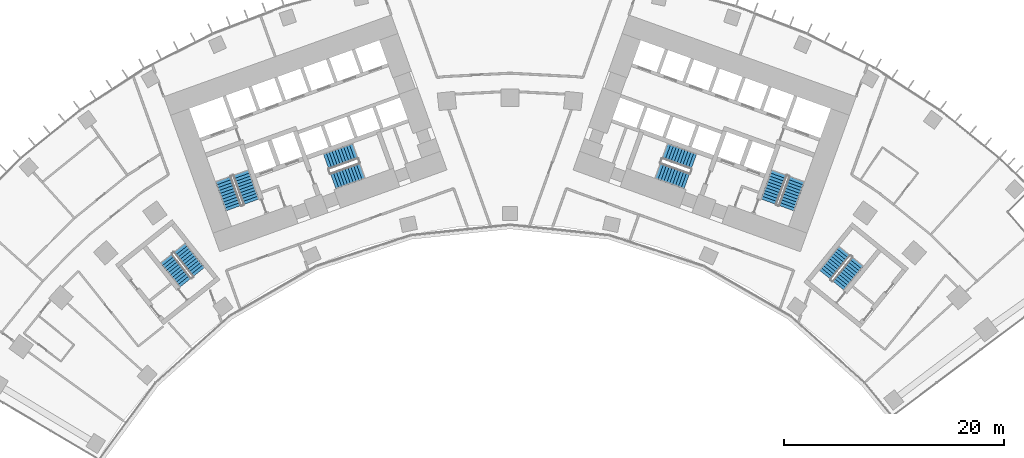
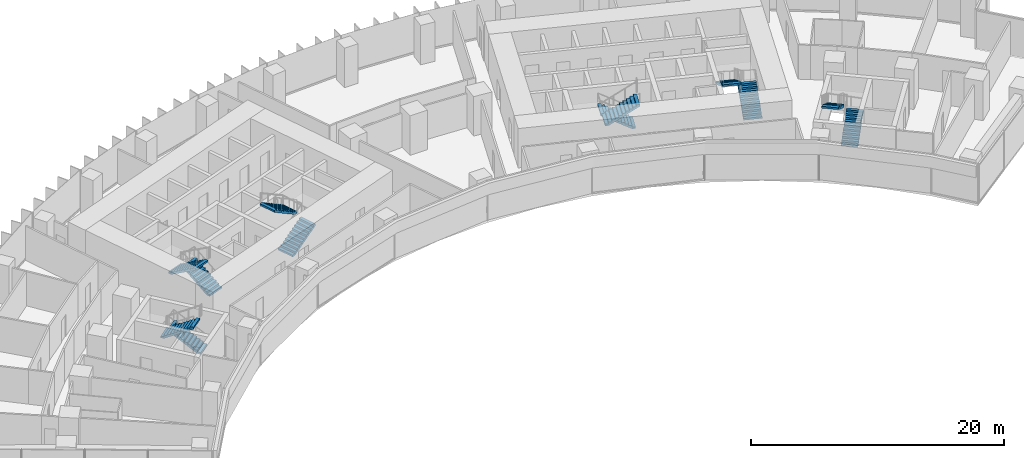
# One storey, part 22 of 24: 12 stair flights, 6 elements without a shape of their own.
"""IFC4 building model written with IfcOpenShell, lengths in metres."""

import ifcopenshell
import ifcopenshell.guid

model = None  # the IFC model being written
_history = None  # IfcOwnerHistory: only IFC2X3 demands one
_inside = {}  # id of a spatial element -> (the spatial element, [elements in it])
_under = {}  # id of a project, library or spatial element -> (it, [spatial elements below it])
_declared = {}  # id of a project -> (the project, [libraries it declares])
_typed = {}  # id of a type object -> (the type object, [elements of that type])
_made_of = {}  # id of a material, layer set ... -> (it, [elements and type objects made of it])


def new_model(schema):
    """Start an empty IFC model of exactly this schema.

    Asked for "IFC4X3", IfcOpenShell would pick the latest addendum, in which some entities
    have other attributes; the version numbers below select the first issue.
    IFC2X3 requires an IfcOwnerHistory on every rooted entity: one is made here for all.
    """
    global model, _history
    if schema == "IFC4X3":
        model = ifcopenshell.file(schema_version=(4, 3, 0, 0))
    else:
        model = ifcopenshell.file(schema=schema)
    _inside.clear()
    _under.clear()
    _declared.clear()
    _typed.clear()
    _made_of.clear()
    _history = None
    if model.schema == "IFC2X3":
        org = make("IfcOrganization", Name="unknown")
        user = make(
            "IfcPersonAndOrganization",
            ThePerson=make("IfcPerson", FamilyName="unknown"),
            TheOrganization=org,
        )
        app = make(
            "IfcApplication",
            ApplicationDeveloper=org,
            Version="unknown",
            ApplicationFullName="unknown",
            ApplicationIdentifier="unknown",
        )
        _history = make(
            "IfcOwnerHistory",
            OwningUser=user,
            OwningApplication=app,
            ChangeAction="ADDED",
            CreationDate=0,
        )
    return model


def make(cls, **values):
    """One entity of the class cls with the attributes given. An attribute that is None is left unset."""
    return model.create_entity(
        cls, **{name: value for name, value in values.items() if value is not None}
    )


def rooted(cls, **values):
    """An entity with a GlobalId (a new one), such as an element, a storey or a relation."""
    return make(cls, GlobalId=ifcopenshell.guid.new(), OwnerHistory=_history, **values)


def si_unit(unit_type, name, prefix=None):
    """IfcSIUnit, for example si_unit("LENGTHUNIT", "METRE", prefix="MILLI")."""
    return make("IfcSIUnit", UnitType=unit_type, Prefix=prefix, Name=name)


def assignment(units):
    """IfcUnitAssignment: the units of a project."""
    return None if units is None else make("IfcUnitAssignment", Units=units)


def point(xyz):
    """IfcCartesianPoint."""
    return None if xyz is None else make("IfcCartesianPoint", Coordinates=xyz)


def direction(xyz):
    """IfcDirection."""
    return None if xyz is None else make("IfcDirection", DirectionRatios=xyz)


def frame(location, z_axis=None, x_axis=None):
    """IfcAxis2Placement3D, a coordinate frame: its origin and axes. An axis left out is left unset."""
    return make(
        "IfcAxis2Placement3D",
        Location=point(location),
        Axis=direction(z_axis),
        RefDirection=direction(x_axis),
    )


def origin():
    """The frame at (0, 0, 0) with its axes left unset."""
    return frame((0.0, 0.0, 0.0))


def place(relative_to, where):
    """IfcLocalPlacement: puts the frame where relative to a parent placement (None: the world)."""
    return make(
        "IfcLocalPlacement", PlacementRelTo=relative_to, RelativePlacement=where
    )


def context(
    kind, dimensions, precision=None, world=None, true_north=None, identifier=None
):
    """IfcGeometricRepresentationContext, for example the 3D "Model" context."""
    return make(
        "IfcGeometricRepresentationContext",
        ContextIdentifier=identifier,
        ContextType=kind,
        CoordinateSpaceDimension=dimensions,
        Precision=precision,
        WorldCoordinateSystem=world,
        TrueNorth=true_north,
    )


def subcontext(parent, identifier, kind, view, scale=None):
    """IfcGeometricRepresentationSubContext, for example "Body" below "Model"."""
    return make(
        "IfcGeometricRepresentationSubContext",
        ContextIdentifier=identifier,
        ContextType=kind,
        ParentContext=parent,
        TargetScale=scale,
        TargetView=view,
    )


def project(units=None, contexts=None):
    """IfcProject with its units and contexts."""
    return rooted(
        "IfcProject",
        Name="project",
        RepresentationContexts=contexts,
        UnitsInContext=assignment(units),
    )


def spatial(cls, under=None, at=None, **own):
    """A site, building, storey or space (cls), placed at a placement, below another one or the project."""
    s = rooted(cls, ObjectPlacement=at, **own)
    if under is not None:
        _under.setdefault(under.id(), (under, []))[1].append(s)
    return s


def polyline(points):
    """IfcPolyline through the points."""
    return make("IfcPolyline", Points=[point(p) for p in points])


def outline(outer, holes=None, kind="AREA"):
    """IfcArbitraryClosedProfileDef: a profile drawn as a closed curve; with holes, ...WithVoids."""
    if holes is None:
        return make("IfcArbitraryClosedProfileDef", ProfileType=kind, OuterCurve=outer)
    return make(
        "IfcArbitraryProfileDefWithVoids",
        ProfileType=kind,
        OuterCurve=outer,
        InnerCurves=holes,
    )


def extrude(swept, where, along, depth):
    """IfcExtrudedAreaSolid: the profile swept, set in the frame where, extruded along a direction by depth."""
    return make(
        "IfcExtrudedAreaSolid",
        SweptArea=swept,
        Position=where,
        ExtrudedDirection=direction(along),
        Depth=depth,
    )


def shape(context_of_items, identifier, shape_type, items):
    """IfcShapeRepresentation: the items that make up one representation, for example the "Body"."""
    return make(
        "IfcShapeRepresentation",
        ContextOfItems=context_of_items,
        RepresentationIdentifier=identifier,
        RepresentationType=shape_type,
        Items=items,
    )


def material(Name=None, Category=None):
    """IfcMaterial."""
    return make("IfcMaterial", Name=Name, Category=Category)


def made_of(thing, what):
    """Note that an element or type object is made of a material, layer set ...; save() writes the relation."""
    if what is not None:
        _made_of.setdefault(what.id(), (what, []))[1].append(thing)
    return thing


def type_object(cls, material=None, **own):
    """A type object (cls), such as IfcWallType, which elements share."""
    return made_of(rooted(cls, **own), material)


def element(
    cls,
    number,
    at=None,
    inside=None,
    cuts=None,
    type_object=None,
    material=None,
    context=None,
    identifier="Body",
    shape_type=None,
    held_by="IfcProductDefinitionShape",
    body=None,
    shapes=None,
    **own,
):
    """One element of the class cls, such as IfcWall. Its Tag is "e" and its number.

    at: its placement. inside: the storey or other place that contains it. cuts: it is an
    opening in that element (IfcRelVoidsElement). A single representation is given by context,
    identifier, shape_type and body (its items); several are given by shapes. held_by: the class
    of the entity that holds the representations. save() writes the other relations.
    """
    e = rooted(cls, Tag="e%d" % number, ObjectPlacement=at, **own)
    if body is not None:
        shapes = [shape(context, identifier, shape_type, body)]
    if shapes is not None:
        e.Representation = make(held_by, Representations=shapes)
    if inside is not None:
        _inside.setdefault(inside.id(), (inside, []))[1].append(e)
    if cuts is not None:
        rooted(
            "IfcRelVoidsElement", RelatingBuildingElement=cuts, RelatedOpeningElement=e
        )
    if type_object is not None:
        _typed.setdefault(type_object.id(), (type_object, []))[1].append(e)
    return made_of(e, material)


def aggregate(whole, parts):
    """IfcRelAggregates: a whole, such as a stair, and the parts it consists of."""
    return rooted("IfcRelAggregates", RelatingObject=whole, RelatedObjects=parts)


def save(model, path):
    """Write the relations noted so far, then the file.

    IfcRelAggregates (storeys below a building ...), IfcRelContainedInSpatialStructure (elements
    in a storey), IfcRelDefinesByType, IfcRelAssociatesMaterial and IfcRelDeclares: one each for
    every whole, place, type object, material and project.
    """
    for whole, parts in _under.values():
        aggregate(whole, parts)
    for where, things in _inside.values():
        rooted(
            "IfcRelContainedInSpatialStructure",
            RelatedElements=things,
            RelatingStructure=where,
        )
    for kind, things in _typed.values():
        rooted("IfcRelDefinesByType", RelatedObjects=things, RelatingType=kind)
    for what, things in _made_of.values():
        rooted("IfcRelAssociatesMaterial", RelatedObjects=things, RelatingMaterial=what)
    for by, libraries in _declared.values():
        rooted("IfcRelDeclares", RelatingContext=by, RelatedDefinitions=libraries)
    model.write(path)


model = new_model("IFC4")

# Units and contexts
model_context = context("Model", 3, precision=1e-05, world=origin(), true_north=direction((0.0, 1.0)))
body_context = subcontext(model_context, "Body", "Model", "MODEL_VIEW")
ifc_project = project(units=[si_unit("LENGTHUNIT", "METRE"), si_unit("AREAUNIT", "SQUARE_METRE"), si_unit("VOLUMEUNIT", "CUBIC_METRE"), si_unit("PLANEANGLEUNIT", "RADIAN"), si_unit("MASSUNIT", "GRAM", prefix="KILO")], contexts=[model_context])

# Site, building, storey
site_placement = place(None, origin())
site = spatial("IfcSite", under=ifc_project, at=site_placement, CompositionType="ELEMENT")
building_placement = place(site_placement, origin())
building = spatial("IfcBuilding", under=site, at=building_placement, Name="Stone Belt Terrace Tower", CompositionType="ELEMENT")
storey_placement = place(building_placement, frame((0.0, 0.0, 75.60009765625)))
storey = spatial("IfcBuildingStorey", under=building, at=storey_placement, Name="L18", CompositionType="ELEMENT", Elevation=75.60009765625)

# Stair, stair flights
ifc_material = material(Name="Concrete B40", Category="concrete")
stair_type = type_object("IfcStairType", Name="Exit stair 1500", PredefinedType="HALF_TURN_STAIR", material=ifc_material)
stair_1_placement = place(storey_placement, origin())
stair_1 = element("IfcStair", 1, at=stair_1_placement, inside=storey, type_object=stair_type, Name="L18 Exit stair 1 core A", PredefinedType="HALF_TURN_STAIR")
stair_flight_type = type_object("IfcStairFlightType", Name="Stair flight 1500", PredefinedType="STRAIGHT", material=ifc_material)
stair_flight_1_placement = place(storey_placement, frame((-23.55322265625, 45.51318359375, 0.0), z_axis=(0.0, 0.0, 1.0), x_axis=(-0.338624396177, 0.940921632398, 0.0)))
stair_flight_1 = element("IfcStairFlight", 2, at=stair_flight_1_placement, type_object=stair_flight_type, Name="ST1A flight 1", NumberOfRisers=11, NumberOfTreads=10, PredefinedType="STRAIGHT", RiserHeight=0.172727273, TreadLength=0.28, context=body_context, shape_type="SweptSolid", body=[
    extrude(outline(polyline([(0.0, 0.0), (0.0, 0.172607421875), (0.280029296875, 0.172607421875), (0.280029296875, 0.345458984375), (0.56005859375, 0.345458984375), (0.56005859375, 0.51806640625), (0.840087890625, 0.51806640625), (0.840087890625, 0.69091796875), (1.1201171875, 0.69091796875), (1.1201171875, 0.863525390625), (1.39990234375, 0.863525390625), (1.39990234375, 1.036376953125), (1.679931640625, 1.036376953125), (1.679931640625, 1.208984375), (1.9599609375, 1.208984375), (1.9599609375, 1.3818359375), (2.239990234375, 1.3818359375), (2.239990234375, 1.554443359375), (2.52001953125, 1.554443359375), (2.52001953125, 1.727294921875), (2.800048828125, 1.727294921875), (2.800048828125, 1.89990234375), (2.800048828125, 1.551025390625), (0.285400390625, 0.0), (0.0, 0.0)])), frame((0.0, 0.75, 0.0), z_axis=(0.0, -1.0, 0.0), x_axis=(1.0, 0.0, 0.0)), (0.0, 0.0, 1.0), 1.5),
])
stair_flight_2_placement = place(storey_placement, frame((-26.10107421875, 47.572021484375, 1.89990234375), z_axis=(0.0, 0.0, 1.0), x_axis=(0.338624396177, -0.940921632398, 0.0)))
stair_flight_2 = element("IfcStairFlight", 3, at=stair_flight_2_placement, type_object=stair_flight_type, Name="ST1A flight 2", NumberOfRisers=11, NumberOfTreads=10, PredefinedType="STRAIGHT", RiserHeight=0.172727273, TreadLength=0.28, context=body_context, shape_type="SweptSolid", body=[
    extrude(outline(polyline([(0.0, 0.0), (0.0, 0.172607421875), (0.280029296875, 0.172607421875), (0.280029296875, 0.345458984375), (0.56005859375, 0.345458984375), (0.56005859375, 0.51806640625), (0.840087890625, 0.51806640625), (0.840087890625, 0.69091796875), (1.1201171875, 0.69091796875), (1.1201171875, 0.863525390625), (1.39990234375, 0.863525390625), (1.39990234375, 1.036376953125), (1.679931640625, 1.036376953125), (1.679931640625, 1.208984375), (1.9599609375, 1.208984375), (1.9599609375, 1.3818359375), (2.239990234375, 1.3818359375), (2.239990234375, 1.554443359375), (2.52001953125, 1.554443359375), (2.52001953125, 1.727294921875), (2.800048828125, 1.727294921875), (2.800048828125, 1.89990234375), (2.800048828125, 1.551025390625), (0.285400390625, 0.0), (0.0, 0.0)])), frame((0.0, 0.75, 0.0), z_axis=(0.0, -1.0, 0.0), x_axis=(1.0, 0.0, 0.0)), (0.0, 0.0, 1.0), 1.5),
])
aggregate(stair_1, [stair_flight_1, stair_flight_2])

stair_2_placement = place(storey_placement, origin())
stair_2 = element("IfcStair", 4, at=stair_2_placement, inside=storey, type_object=stair_type, Name="L18 Exit stair 2 core A", PredefinedType="HALF_TURN_STAIR")
stair_flight_3_placement = place(storey_placement, frame((-16.101318359375, 47.39794921875, 0.0), z_axis=(0.0, 0.0, 1.0), x_axis=(0.940921632398, 0.338624396177, 0.0)))
stair_flight_3 = element("IfcStairFlight", 5, at=stair_flight_3_placement, type_object=stair_flight_type, Name="ST2A flight 1", NumberOfRisers=11, NumberOfTreads=10, PredefinedType="STRAIGHT", RiserHeight=0.172727273, TreadLength=0.28, context=body_context, shape_type="SweptSolid", body=[
    extrude(outline(polyline([(0.0, 0.0), (0.0, 0.172607421875), (0.280029296875, 0.172607421875), (0.280029296875, 0.345458984375), (0.56005859375, 0.345458984375), (0.56005859375, 0.51806640625), (0.840087890625, 0.51806640625), (0.840087890625, 0.69091796875), (1.1201171875, 0.69091796875), (1.1201171875, 0.863525390625), (1.39990234375, 0.863525390625), (1.39990234375, 1.036376953125), (1.679931640625, 1.036376953125), (1.679931640625, 1.208984375), (1.9599609375, 1.208984375), (1.9599609375, 1.3818359375), (2.239990234375, 1.3818359375), (2.239990234375, 1.554443359375), (2.52001953125, 1.554443359375), (2.52001953125, 1.727294921875), (2.800048828125, 1.727294921875), (2.800048828125, 1.89990234375), (2.800048828125, 1.551025390625), (0.285400390625, 0.0), (0.0, 0.0)])), frame((0.0, 0.75, 0.0), z_axis=(0.0, -1.0, 0.0), x_axis=(1.0, 0.0, 0.0)), (0.0, 0.0, 1.0), 1.5),
])
stair_flight_4_placement = place(storey_placement, frame((-14.110107421875, 50.1337890625, 1.89990234375), z_axis=(0.0, 0.0, 1.0), x_axis=(-0.940921632398, -0.338624396177, 0.0)))
stair_flight_4 = element("IfcStairFlight", 6, at=stair_flight_4_placement, type_object=stair_flight_type, Name="ST2A flight 2", NumberOfRisers=11, NumberOfTreads=10, PredefinedType="STRAIGHT", RiserHeight=0.172727273, TreadLength=0.28, context=body_context, shape_type="SweptSolid", body=[
    extrude(outline(polyline([(0.0, 0.0), (0.0, 0.172607421875), (0.280029296875, 0.172607421875), (0.280029296875, 0.345458984375), (0.56005859375, 0.345458984375), (0.56005859375, 0.51806640625), (0.840087890625, 0.51806640625), (0.840087890625, 0.69091796875), (1.1201171875, 0.69091796875), (1.1201171875, 0.863525390625), (1.39990234375, 0.863525390625), (1.39990234375, 1.036376953125), (1.679931640625, 1.036376953125), (1.679931640625, 1.208984375), (1.9599609375, 1.208984375), (1.9599609375, 1.3818359375), (2.239990234375, 1.3818359375), (2.239990234375, 1.554443359375), (2.52001953125, 1.554443359375), (2.52001953125, 1.727294921875), (2.800048828125, 1.727294921875), (2.800048828125, 1.89990234375), (2.800048828125, 1.551025390625), (0.285400390625, 0.0), (0.0, 0.0)])), frame((0.0, 0.75, 0.0), z_axis=(0.0, -1.0, 0.0), x_axis=(1.0, 0.0, 0.0)), (0.0, 0.0, 1.0), 1.5),
])
aggregate(stair_2, [stair_flight_3, stair_flight_4])

stair_3_placement = place(storey_placement, origin())
stair_3 = element("IfcStair", 7, at=stair_3_placement, inside=storey, type_object=stair_type, Name="L18 Exit stair 1 core B", PredefinedType="HALF_TURN_STAIR")
stair_flight_5_placement = place(storey_placement, frame((25.15283203125, 44.9375, 0.0), z_axis=(0.0, 0.0, 1.0), x_axis=(0.338624396177, 0.940921632398, 0.0)))
stair_flight_5 = element("IfcStairFlight", 8, at=stair_flight_5_placement, type_object=stair_flight_type, Name="ST1B flight 1", NumberOfRisers=11, NumberOfTreads=10, PredefinedType="STRAIGHT", RiserHeight=0.172727273, TreadLength=0.28, context=body_context, shape_type="SweptSolid", body=[
    extrude(outline(polyline([(0.0, 0.0), (0.0, 0.172607421875), (0.280029296875, 0.172607421875), (0.280029296875, 0.345458984375), (0.56005859375, 0.345458984375), (0.56005859375, 0.51806640625), (0.840087890625, 0.51806640625), (0.840087890625, 0.69091796875), (1.1201171875, 0.69091796875), (1.1201171875, 0.863525390625), (1.39990234375, 0.863525390625), (1.39990234375, 1.036376953125), (1.679931640625, 1.036376953125), (1.679931640625, 1.208984375), (1.9599609375, 1.208984375), (1.9599609375, 1.3818359375), (2.239990234375, 1.3818359375), (2.239990234375, 1.554443359375), (2.52001953125, 1.554443359375), (2.52001953125, 1.727294921875), (2.800048828125, 1.727294921875), (2.800048828125, 1.89990234375), (2.800048828125, 1.551025390625), (0.285400390625, 0.0), (0.0, 0.0)])), frame((0.0, 0.75, 0.0), z_axis=(0.0, -1.0, 0.0), x_axis=(1.0, 0.0, 0.0)), (0.0, 0.0, 1.0), 1.5),
])
stair_flight_6_placement = place(storey_placement, frame((24.50146484375, 48.147705078125, 1.89990234375), z_axis=(0.0, 0.0, 1.0), x_axis=(-0.338624396177, -0.940921632398, 0.0)))
stair_flight_6 = element("IfcStairFlight", 9, at=stair_flight_6_placement, type_object=stair_flight_type, Name="ST1B flight 2", NumberOfRisers=11, NumberOfTreads=10, PredefinedType="STRAIGHT", RiserHeight=0.172727273, TreadLength=0.28, context=body_context, shape_type="SweptSolid", body=[
    extrude(outline(polyline([(0.0, 0.0), (0.0, 0.172607421875), (0.280029296875, 0.172607421875), (0.280029296875, 0.345458984375), (0.56005859375, 0.345458984375), (0.56005859375, 0.51806640625), (0.840087890625, 0.51806640625), (0.840087890625, 0.69091796875), (1.1201171875, 0.69091796875), (1.1201171875, 0.863525390625), (1.39990234375, 0.863525390625), (1.39990234375, 1.036376953125), (1.679931640625, 1.036376953125), (1.679931640625, 1.208984375), (1.9599609375, 1.208984375), (1.9599609375, 1.3818359375), (2.239990234375, 1.3818359375), (2.239990234375, 1.554443359375), (2.52001953125, 1.554443359375), (2.52001953125, 1.727294921875), (2.800048828125, 1.727294921875), (2.800048828125, 1.89990234375), (2.800048828125, 1.551025390625), (0.285400390625, 0.0), (0.0, 0.0)])), frame((0.0, 0.75, 0.0), z_axis=(0.0, -1.0, 0.0), x_axis=(1.0, 0.0, 0.0)), (0.0, 0.0, 1.0), 1.5),
])
aggregate(stair_3, [stair_flight_5, stair_flight_6])

stair_4_placement = place(storey_placement, origin())
stair_4 = element("IfcStair", 10, at=stair_4_placement, inside=storey, type_object=stair_type, Name="L18 Exit stair 2 core B", PredefinedType="HALF_TURN_STAIR")
stair_flight_7_placement = place(storey_placement, frame((16.74462890625, 49.185546875, 0.0), z_axis=(0.0, 0.0, 1.0), x_axis=(-0.940921632398, 0.338624396177, 0.0)))
stair_flight_7 = element("IfcStairFlight", 11, at=stair_flight_7_placement, type_object=stair_flight_type, Name="ST2B flight 1", NumberOfRisers=11, NumberOfTreads=10, PredefinedType="STRAIGHT", RiserHeight=0.172727273, TreadLength=0.28, context=body_context, shape_type="SweptSolid", body=[
    extrude(outline(polyline([(0.0, 0.0), (0.0, 0.172607421875), (0.280029296875, 0.172607421875), (0.280029296875, 0.345458984375), (0.56005859375, 0.345458984375), (0.56005859375, 0.51806640625), (0.840087890625, 0.51806640625), (0.840087890625, 0.69091796875), (1.1201171875, 0.69091796875), (1.1201171875, 0.863525390625), (1.39990234375, 0.863525390625), (1.39990234375, 1.036376953125), (1.679931640625, 1.036376953125), (1.679931640625, 1.208984375), (1.9599609375, 1.208984375), (1.9599609375, 1.3818359375), (2.239990234375, 1.3818359375), (2.239990234375, 1.554443359375), (2.52001953125, 1.554443359375), (2.52001953125, 1.727294921875), (2.800048828125, 1.727294921875), (2.800048828125, 1.89990234375), (2.800048828125, 1.551025390625), (0.285400390625, 0.0), (0.0, 0.0)])), frame((0.0, 0.75, 0.0), z_axis=(0.0, -1.0, 0.0), x_axis=(1.0, 0.0, 0.0)), (0.0, 0.0, 1.0), 1.5),
])
stair_flight_8_placement = place(storey_placement, frame((13.466796875, 48.345947265625, 1.89990234375), z_axis=(0.0, 0.0, 1.0), x_axis=(0.940921632398, -0.338624396177, 0.0)))
stair_flight_8 = element("IfcStairFlight", 12, at=stair_flight_8_placement, type_object=stair_flight_type, Name="ST2B flight 2", NumberOfRisers=11, NumberOfTreads=10, PredefinedType="STRAIGHT", RiserHeight=0.172727273, TreadLength=0.28, context=body_context, shape_type="SweptSolid", body=[
    extrude(outline(polyline([(0.0, 0.0), (0.0, 0.172607421875), (0.280029296875, 0.172607421875), (0.280029296875, 0.345458984375), (0.56005859375, 0.345458984375), (0.56005859375, 0.51806640625), (0.840087890625, 0.51806640625), (0.840087890625, 0.69091796875), (1.1201171875, 0.69091796875), (1.1201171875, 0.863525390625), (1.39990234375, 0.863525390625), (1.39990234375, 1.036376953125), (1.679931640625, 1.036376953125), (1.679931640625, 1.208984375), (1.9599609375, 1.208984375), (1.9599609375, 1.3818359375), (2.239990234375, 1.3818359375), (2.239990234375, 1.554443359375), (2.52001953125, 1.554443359375), (2.52001953125, 1.727294921875), (2.800048828125, 1.727294921875), (2.800048828125, 1.89990234375), (2.800048828125, 1.551025390625), (0.285400390625, 0.0), (0.0, 0.0)])), frame((0.0, 0.75, 0.0), z_axis=(0.0, -1.0, 0.0), x_axis=(1.0, 0.0, 0.0)), (0.0, 0.0, 1.0), 1.5),
])
aggregate(stair_4, [stair_flight_7, stair_flight_8])

stair_5_placement = place(storey_placement, origin())
stair_5 = element("IfcStair", 13, at=stair_5_placement, inside=storey, type_object=stair_type, Name="L18 Exit stair 3A", PredefinedType="HALF_TURN_STAIR")
stair_flight_9_placement = place(storey_placement, frame((-28.325439453125, 39.1240234375, 0.0), z_axis=(0.0, 0.0, 1.0), x_axis=(-0.623121363691, 0.782125160132, 0.0)))
stair_flight_9 = element("IfcStairFlight", 14, at=stair_flight_9_placement, type_object=stair_flight_type, Name="ST3A flight 1", NumberOfRisers=11, NumberOfTreads=10, PredefinedType="STRAIGHT", RiserHeight=0.172727273, TreadLength=0.28, context=body_context, shape_type="SweptSolid", body=[
    extrude(outline(polyline([(0.0, 0.0), (0.0, 0.172607421875), (0.280029296875, 0.172607421875), (0.280029296875, 0.345458984375), (0.56005859375, 0.345458984375), (0.56005859375, 0.51806640625), (0.840087890625, 0.51806640625), (0.840087890625, 0.69091796875), (1.1201171875, 0.69091796875), (1.1201171875, 0.863525390625), (1.39990234375, 0.863525390625), (1.39990234375, 1.036376953125), (1.679931640625, 1.036376953125), (1.679931640625, 1.208984375), (1.9599609375, 1.208984375), (1.9599609375, 1.3818359375), (2.239990234375, 1.3818359375), (2.239990234375, 1.554443359375), (2.52001953125, 1.554443359375), (2.52001953125, 1.727294921875), (2.800048828125, 1.727294921875), (2.800048828125, 1.89990234375), (2.800048828125, 1.551025390625), (0.285400390625, 0.0), (0.0, 0.0)])), frame((0.0, 0.675048828125, 0.0), z_axis=(0.0, -1.0, 0.0), x_axis=(1.0, 0.0, 0.0)), (0.0, 0.0, 1.0), 1.35009765625),
])
stair_flight_10_placement = place(storey_placement, frame((-31.282470703125, 40.34814453125, 1.89990234375), z_axis=(0.0, 0.0, 1.0), x_axis=(0.623121363691, -0.782125160132, 0.0)))
stair_flight_10 = element("IfcStairFlight", 15, at=stair_flight_10_placement, type_object=stair_flight_type, Name="ST3A flight 2", NumberOfRisers=11, NumberOfTreads=10, PredefinedType="STRAIGHT", RiserHeight=0.172727273, TreadLength=0.28, context=body_context, shape_type="SweptSolid", body=[
    extrude(outline(polyline([(0.0, 0.0), (0.0, 0.172607421875), (0.280029296875, 0.172607421875), (0.280029296875, 0.345458984375), (0.56005859375, 0.345458984375), (0.56005859375, 0.51806640625), (0.840087890625, 0.51806640625), (0.840087890625, 0.69091796875), (1.1201171875, 0.69091796875), (1.1201171875, 0.863525390625), (1.39990234375, 0.863525390625), (1.39990234375, 1.036376953125), (1.679931640625, 1.036376953125), (1.679931640625, 1.208984375), (1.9599609375, 1.208984375), (1.9599609375, 1.3818359375), (2.239990234375, 1.3818359375), (2.239990234375, 1.554443359375), (2.52001953125, 1.554443359375), (2.52001953125, 1.727294921875), (2.800048828125, 1.727294921875), (2.800048828125, 1.89990234375), (2.800048828125, 1.551025390625), (0.285400390625, 0.0), (0.0, 0.0)])), frame((0.0, 0.675048828125, 0.0), z_axis=(0.0, -1.0, 0.0), x_axis=(1.0, 0.0, 0.0)), (0.0, 0.0, 1.0), 1.35009765625),
])
aggregate(stair_5, [stair_flight_9, stair_flight_10])

stair_6_placement = place(storey_placement, origin())
stair_6 = element("IfcStair", 16, at=stair_6_placement, inside=storey, type_object=stair_type, Name="L18 Exit stair 3B", PredefinedType="HALF_TURN_STAIR")
stair_flight_11_placement = place(storey_placement, frame((29.88330078125, 37.887939453125, 0.0), z_axis=(0.0, 0.0, 1.0), x_axis=(0.630205749599, 0.776428176441, 0.0)))
stair_flight_11 = element("IfcStairFlight", 17, at=stair_flight_11_placement, type_object=stair_flight_type, Name="ST3B flight 1", NumberOfRisers=11, NumberOfTreads=10, PredefinedType="STRAIGHT", RiserHeight=0.172727273, TreadLength=0.28, context=body_context, shape_type="SweptSolid", body=[
    extrude(outline(polyline([(0.0, 0.0), (0.0, 0.172607421875), (0.280029296875, 0.172607421875), (0.280029296875, 0.345458984375), (0.56005859375, 0.345458984375), (0.56005859375, 0.51806640625), (0.840087890625, 0.51806640625), (0.840087890625, 0.69091796875), (1.1201171875, 0.69091796875), (1.1201171875, 0.863525390625), (1.39990234375, 0.863525390625), (1.39990234375, 1.036376953125), (1.679931640625, 1.036376953125), (1.679931640625, 1.208984375), (1.9599609375, 1.208984375), (1.9599609375, 1.3818359375), (2.239990234375, 1.3818359375), (2.239990234375, 1.554443359375), (2.52001953125, 1.554443359375), (2.52001953125, 1.727294921875), (2.800048828125, 1.727294921875), (2.800048828125, 1.89990234375), (2.800048828125, 1.551025390625), (0.285400390625, 0.0), (0.0, 0.0)])), frame((0.0, 0.675048828125, 0.0), z_axis=(0.0, -1.0, 0.0), x_axis=(1.0, 0.0, 0.0)), (0.0, 0.0, 1.0), 1.35009765625),
])
stair_flight_12_placement = place(storey_placement, frame((30.4443359375, 41.038818359375, 1.89990234375), z_axis=(0.0, 0.0, 1.0), x_axis=(-0.630205749599, -0.776428176441, 0.0)))
stair_flight_12 = element("IfcStairFlight", 18, at=stair_flight_12_placement, type_object=stair_flight_type, Name="ST3B flight 2", NumberOfRisers=11, NumberOfTreads=10, PredefinedType="STRAIGHT", RiserHeight=0.172727273, TreadLength=0.28, context=body_context, shape_type="SweptSolid", body=[
    extrude(outline(polyline([(0.0, 0.0), (0.0, 0.172607421875), (0.280029296875, 0.172607421875), (0.280029296875, 0.345458984375), (0.56005859375, 0.345458984375), (0.56005859375, 0.51806640625), (0.840087890625, 0.51806640625), (0.840087890625, 0.69091796875), (1.1201171875, 0.69091796875), (1.1201171875, 0.863525390625), (1.39990234375, 0.863525390625), (1.39990234375, 1.036376953125), (1.679931640625, 1.036376953125), (1.679931640625, 1.208984375), (1.9599609375, 1.208984375), (1.9599609375, 1.3818359375), (2.239990234375, 1.3818359375), (2.239990234375, 1.554443359375), (2.52001953125, 1.554443359375), (2.52001953125, 1.727294921875), (2.800048828125, 1.727294921875), (2.800048828125, 1.89990234375), (2.800048828125, 1.551025390625), (0.285400390625, 0.0), (0.0, 0.0)])), frame((0.0, 0.675048828125, 0.0), z_axis=(0.0, -1.0, 0.0), x_axis=(1.0, 0.0, 0.0)), (0.0, 0.0, 1.0), 1.35009765625),
])
aggregate(stair_6, [stair_flight_11, stair_flight_12])

save(model, "model.ifc")
